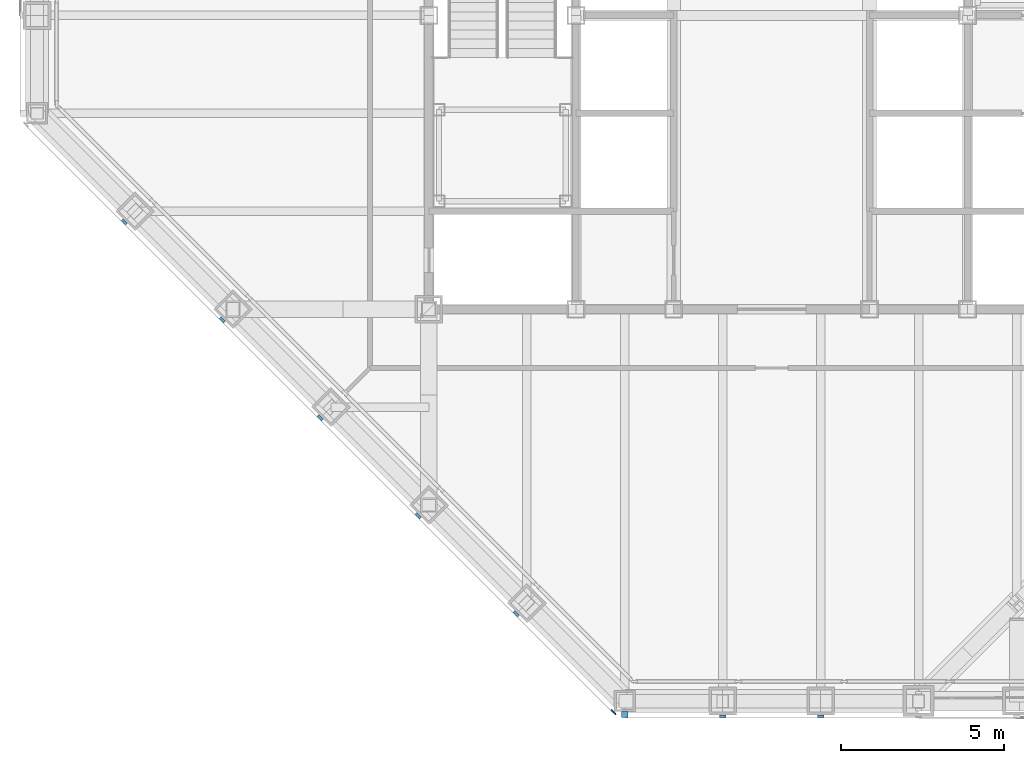
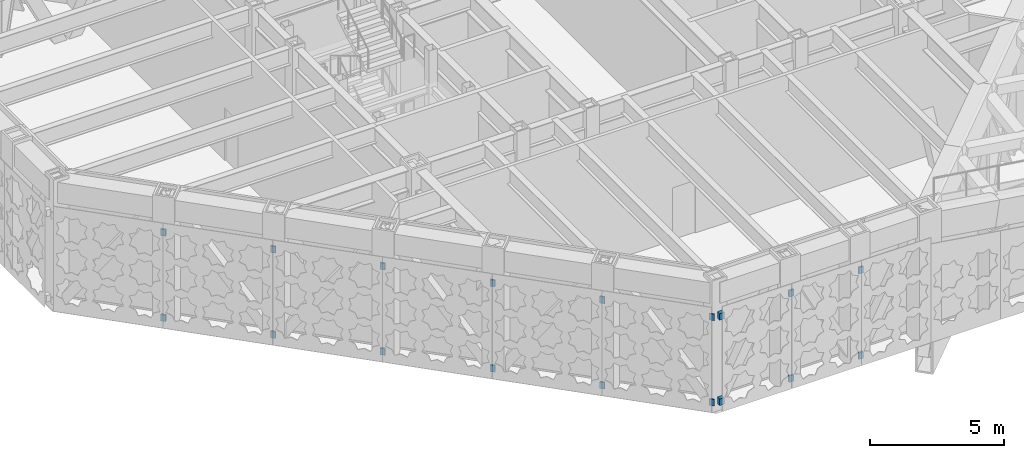
# One storey, part 13 of 29: 18 discrete accessories.
"""IFC4 building model written with IfcOpenShell, lengths in metres."""

from ifc_helpers import new_model, si_unit, direction, frame, origin, origin_2d, place, context, subcontext, project, spatial, rectangle, extrude, material, type_object, element, save


model = new_model("IFC4")

# Units and contexts
model_context = context("Model", 3, precision=1e-05, world=origin(), true_north=direction((0.0, 1.0)))
body_context = subcontext(model_context, "Body", "Model", "MODEL_VIEW")
ifc_project = project(units=[si_unit("LENGTHUNIT", "METRE"), si_unit("AREAUNIT", "SQUARE_METRE"), si_unit("VOLUMEUNIT", "CUBIC_METRE"), si_unit("PLANEANGLEUNIT", "RADIAN"), si_unit("MASSUNIT", "GRAM", prefix="KILO")], contexts=[model_context])

# Site, building, storey
site_placement = place(None, origin())
site = spatial("IfcSite", under=ifc_project, at=site_placement, CompositionType="ELEMENT")
building_placement = place(site_placement, origin())
building = spatial("IfcBuilding", under=site, at=building_placement, Name="Chuquiago Exchange Tower", CompositionType="ELEMENT")
storey_placement = place(building_placement, frame((0.0, 0.0, 251.699951171875)))
storey = spatial("IfcBuildingStorey", under=building, at=storey_placement, Name="L56", CompositionType="ELEMENT", Elevation=251.699951171875)

# Discrete accessories
ifc_material_1 = material(Name="Stainless steel plate bracket", Category="steel")
discrete_accessory_type_1 = type_object("IfcDiscreteAccessoryType", Name="GB3 cladding bracket 175", PredefinedType="BRACKET", material=ifc_material_1)
for number, where, z_axis, x_axis, name in (
    (1, (18.0, -0.41259765625, 0.35009765625), (0.0, 0.0, 1.0), (1.0, 0.0, 0.0), "Cladding bracket L56 S"),
    (2, (18.0, -0.41259765625, 4.240234375), (0.0, 0.0, 1.0), (1.0, 0.0, 0.0), "Cladding bracket L56 S"),
):
    element("IfcDiscreteAccessory", number, at=place(storey_placement, frame(where, z_axis=z_axis, x_axis=x_axis)), inside=storey, type_object=discrete_accessory_type_1, Name=name, PredefinedType="BRACKET", context=body_context, shape_type="SweptSolid", body=[
        extrude(rectangle(XDim=0.199951171875, YDim=0.175048828125, at=origin_2d()), origin(), (0.0, 0.0, 1.0), 0.300048828125),
    ])
ifc_material_2 = material(Name="Stainless steel plate bracket", Category="steel")
discrete_accessory_type_2 = type_object("IfcDiscreteAccessoryType", Name="GB4 cladding bracket 75", PredefinedType="BRACKET", material=ifc_material_2)
for number, where, z_axis, x_axis, name in (
    (3, (21.0, -0.46240234375, 0.35009765625), (0.0, 0.0, 1.0), (1.0, 0.0, 0.0), "Cladding bracket L56 S"),
    (4, (21.0, -0.46240234375, 4.240234375), (0.0, 0.0, 1.0), (1.0, 0.0, 0.0), "Cladding bracket L56 S"),
    (5, (24.0, -0.46240234375, 0.35009765625), (0.0, 0.0, 1.0), (1.0, 0.0, 0.0), "Cladding bracket L56 S"),
    (6, (24.0, -0.46240234375, 4.240234375), (0.0, 0.0, 1.0), (1.0, 0.0, 0.0), "Cladding bracket L56 S"),
    (7, (2.6728515625, 14.673095703125, 0.35009765625), (0.0, 0.0, 1.0), (0.707106781187, -0.707106781187, 0.0), "Cladding bracket L56 SW"),
    (8, (2.6728515625, 14.673095703125, 4.240234375), (0.0, 0.0, 1.0), (0.707106781187, -0.707106781187, 0.0), "Cladding bracket L56 SW"),
    (9, (5.673095703125, 11.6728515625, 0.35009765625), (0.0, 0.0, 1.0), (0.707106781187, -0.707106781187, 0.0), "Cladding bracket L56 SW"),
    (10, (5.673095703125, 11.6728515625, 4.240234375), (0.0, 0.0, 1.0), (0.707106781187, -0.707106781187, 0.0), "Cladding bracket L56 SW"),
    (11, (8.6728515625, 8.673095703125, 0.35009765625), (0.0, 0.0, 1.0), (0.707106781187, -0.707106781187, 0.0), "Cladding bracket L56 SW"),
    (12, (8.6728515625, 8.673095703125, 4.240234375), (0.0, 0.0, 1.0), (0.707106781187, -0.707106781187, 0.0), "Cladding bracket L56 SW"),
    (13, (11.673095703125, 5.6728515625, 0.35009765625), (0.0, 0.0, 1.0), (0.707106781187, -0.707106781187, 0.0), "Cladding bracket L56 SW"),
    (14, (11.673095703125, 5.6728515625, 4.240234375), (0.0, 0.0, 1.0), (0.707106781187, -0.707106781187, 0.0), "Cladding bracket L56 SW"),
    (15, (14.673095703125, 2.673095703125, 0.35009765625), (0.0, 0.0, 1.0), (0.707106781187, -0.707106781187, 0.0), "Cladding bracket L56 SW"),
    (16, (14.673095703125, 2.673095703125, 4.240234375), (0.0, 0.0, 1.0), (0.707106781187, -0.707106781187, 0.0), "Cladding bracket L56 SW"),
):
    element("IfcDiscreteAccessory", number, at=place(storey_placement, frame(where, z_axis=z_axis, x_axis=x_axis)), inside=storey, type_object=discrete_accessory_type_2, Name=name, PredefinedType="BRACKET", context=body_context, shape_type="SweptSolid", body=[
        extrude(rectangle(XDim=0.199951171875, YDim=0.074951171875, at=origin_2d()), origin(), (0.0, 0.0, 1.0), 0.300048828125),
    ])
ifc_material_3 = material(Name="Stainless steel plate bracket", Category="steel")
discrete_accessory_type_3 = type_object("IfcDiscreteAccessoryType", Name="GB5 cladding bracket 40", PredefinedType="BRACKET", material=ifc_material_3)
for number, where, z_axis, x_axis, name in (
    (17, (17.66064453125, -0.339111328125, 0.35009765625), (0.0, 0.0, 1.0), (0.707106781187, -0.707106781187, 0.0), "Cladding bracket L56 SW"),
    (18, (17.66064453125, -0.339111328125, 4.240234375), (0.0, 0.0, 1.0), (0.707106781187, -0.707106781187, 0.0), "Cladding bracket L56 SW"),
):
    element("IfcDiscreteAccessory", number, at=place(storey_placement, frame(where, z_axis=z_axis, x_axis=x_axis)), inside=storey, type_object=discrete_accessory_type_3, Name=name, PredefinedType="BRACKET", context=body_context, shape_type="SweptSolid", body=[
        extrude(rectangle(XDim=0.199951171875, YDim=0.040283203125, at=origin_2d()), origin(), (0.0, 0.0, 1.0), 0.300048828125),
    ])

save(model, "model.ifc")
